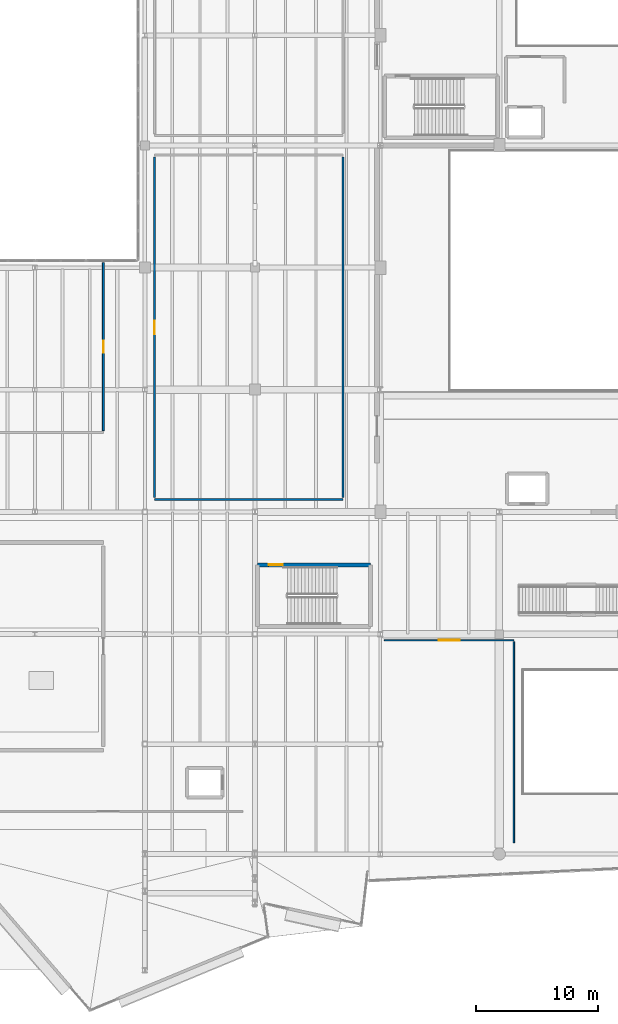
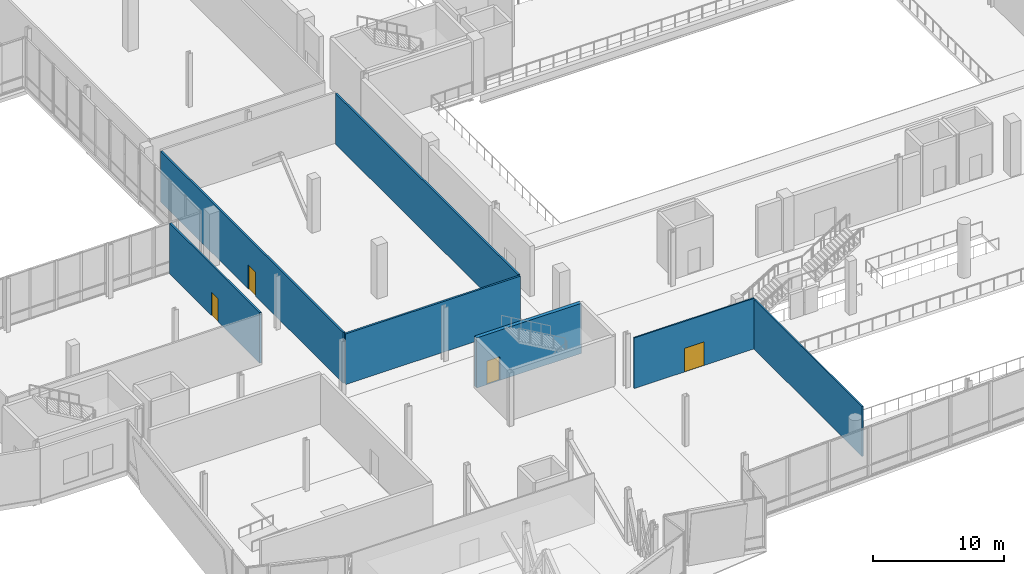
# One storey, part 54 of 73: 7 walls, 4 doors, 4 openings.
"""IFC4 building model written with IfcOpenShell, lengths in metres."""

from ifc_helpers import new_model, si_unit, direction, frame, frame_2d, origin, place, context, subcontext, project, spatial, rectangle, extrude, material, layer, layer_set, type_object, element, fill, save


model = new_model("IFC4")

# Units and contexts
model_context = context("Model", 3, precision=1e-05, world=origin(), true_north=direction((0.0, 1.0)))
body_context = subcontext(model_context, "Body", "Model", "MODEL_VIEW")
ifc_project = project(units=[si_unit("LENGTHUNIT", "METRE"), si_unit("AREAUNIT", "SQUARE_METRE"), si_unit("VOLUMEUNIT", "CUBIC_METRE"), si_unit("PLANEANGLEUNIT", "RADIAN"), si_unit("MASSUNIT", "GRAM", prefix="KILO")], contexts=[model_context])

# Site, building, storey
site_placement = place(None, origin())
site = spatial("IfcSite", under=ifc_project, at=site_placement, CompositionType="ELEMENT")
building_placement = place(site_placement, origin())
building = spatial("IfcBuilding", under=site, at=building_placement, Name="Trimount Lyric Opera House", CompositionType="ELEMENT")
storey_placement = place(building_placement, frame((0.0, 0.0, 10.0)))
storey = spatial("IfcBuildingStorey", under=building, at=storey_placement, Name="L02", CompositionType="ELEMENT", Elevation=10.0)

# Wall, opening, door
ifc_material_1 = material(Name="Gypsum Board Partition")
ifc_layer_1 = layer(ifc_material_1, 0.1201171875)
ifc_layer_set_1 = layer_set([ifc_layer_1], Name="WL-PT120")
wall_type_1 = type_object("IfcWallType", Name="WL-PT120", PredefinedType="PARTITIONING", material=ifc_layer_set_1)
wall_1_placement = place(storey_placement, frame((75.199951171875, 43.5, 0.0), z_axis=(0.0, 0.0, 1.0), x_axis=(-1.0, 0.0, 0.0)))
wall_1 = element("IfcWall", 1, at=wall_1_placement, inside=storey, type_object=wall_type_1, Name="L02 Dress Circle Crystal Promenade N partition", PredefinedType="PARTITIONING", context=body_context, shape_type="SweptSolid", body=[
    extrude(rectangle(XDim=10.599853515625, YDim=0.1201171875, at=frame_2d((5.2998046875, 0.0))), origin(), (0.0, 0.0, 1.0), 4.719970703125),
])
opening_1_placement = place(wall_1_placement, frame((4.449951171875, 0.0, 0.0)))
opening_1 = element("IfcOpeningElement", 2, at=opening_1_placement, cuts=wall_1, Name="Opening DT-COR2", PredefinedType="OPENING", context=body_context, shape_type="SweptSolid", body=[
    extrude(rectangle(XDim=1.699951171875, YDim=2.199951171875, at=frame_2d((0.85009765625, 1.10009765625))), frame((0.0, 0.070068359375, 0.0), z_axis=(0.0, -1.0, 0.0), x_axis=(1.0, 0.0, 0.0)), (0.0, 0.0, 1.0), 0.14013671875),
])
ifc_material_2 = material(Name="Solid Core White Oak")
door_type_1 = type_object("IfcDoorType", Name="DT-COR2", OperationType="DOUBLE_DOOR_SINGLE_SWING", PredefinedType="DOOR", material=ifc_material_2)
door_1_placement = place(opening_1_placement, origin())
door_1 = element("IfcDoor", 3, at=door_1_placement, inside=storey, type_object=door_type_1, Name="D-212", OperationType="DOUBLE_DOOR_SINGLE_SWING", OverallHeight=2.199951171875, OverallWidth=1.699951171875, PredefinedType="DOOR", context=body_context, shape_type="SweptSolid", body=[
    extrude(rectangle(XDim=1.699951171875, YDim=2.199951171875, at=frame_2d((0.85009765625, 1.10009765625))), frame((0.0, 0.02490234375, 0.0), z_axis=(0.0, -1.0, 0.0), x_axis=(1.0, 0.0, 0.0)), (0.0, 0.0, 1.0), 0.050048828125),
])
fill(opening_1, door_1)

# Wall
wall_2_placement = place(storey_placement, frame((75.199951171875, 26.919921875, 0.0), z_axis=(0.0, 0.0, 1.0), x_axis=(0.0, 1.0, 0.0)))
element("IfcWall", 4, at=wall_2_placement, inside=storey, type_object=wall_type_1, Name="L02 Dress Circle Crystal Promenade E partition", PredefinedType="PARTITIONING", context=body_context, shape_type="SweptSolid", body=[
    extrude(rectangle(XDim=16.4599609375, YDim=0.1201171875, at=frame_2d((8.22998046875, 0.0))), origin(), (0.0, 0.0, 1.0), 4.64990234375),
])

# Wall, opening, door
ifc_material_3 = material(Name="Fire-Rated Gypsum Board Partition")
ifc_layer_2 = layer(ifc_material_3, 0.14990234375)
ifc_layer_set_2 = layer_set([ifc_layer_2], Name="WL-PT150")
wall_type_2 = type_object("IfcWallType", Name="WL-PT150", PredefinedType="PARTITIONING", material=ifc_layer_set_2)
wall_3_placement = place(storey_placement, frame((41.60009765625, 60.64990234375, 0.0), z_axis=(0.0, 0.0, 1.0), x_axis=(0.0, 1.0, 0.0)))
wall_3 = element("IfcWall", 5, at=wall_3_placement, inside=storey, type_object=wall_type_2, Name="L02 Principal & Guest Artist Suites E partition", PredefinedType="PARTITIONING", context=body_context, shape_type="SweptSolid", body=[
    extrude(rectangle(XDim=13.75, YDim=0.14990234375, at=frame_2d((6.875, 0.0))), origin(), (0.0, 0.0, 1.0), 4.719970703125),
])
opening_2_placement = place(wall_3_placement, frame((6.375, 0.0, 0.0)))
opening_2 = element("IfcOpeningElement", 6, at=opening_2_placement, cuts=wall_3, Name="Opening DT-RM1", PredefinedType="OPENING", context=body_context, shape_type="SweptSolid", body=[
    extrude(rectangle(XDim=1.0, YDim=2.14990234375, at=frame_2d((0.5, 1.074951171875))), frame((0.0, 0.0849609375, 0.0), z_axis=(0.0, -1.0, 0.0), x_axis=(1.0, 0.0, 0.0)), (0.0, 0.0, 1.0), 0.169921875),
])
ifc_material_4 = material(Name="Solid Core White Oak")
door_type_2 = type_object("IfcDoorType", Name="DT-RM1", OperationType="NOTDEFINED", PredefinedType="DOOR", material=ifc_material_4)
door_2_placement = place(opening_2_placement, origin())
door_2 = element("IfcDoor", 7, at=door_2_placement, inside=storey, type_object=door_type_2, Name="D-214", OperationType="SINGLE_SWING_RIGHT", OverallHeight=2.14990234375, OverallWidth=1.0, PredefinedType="DOOR", context=body_context, shape_type="SweptSolid", body=[
    extrude(rectangle(XDim=1.0, YDim=2.14990234375, at=frame_2d((0.5, 1.074951171875))), frame((0.0, 0.02490234375, 0.0), z_axis=(0.0, -1.0, 0.0), x_axis=(1.0, 0.0, 0.0)), (0.0, 0.0, 1.0), 0.050048828125),
])
fill(opening_2, door_2)

# Wall
ifc_material_5 = material(Name="Acoustic Double-Stud Gypsum Board")
ifc_layer_3 = layer(ifc_material_5, 0.1650390625)
ifc_layer_set_3 = layer_set([ifc_layer_3], Name="WL-PT165")
wall_type_3 = type_object("IfcWallType", Name="WL-PT165", PredefinedType="PARTITIONING", material=ifc_layer_set_3)
wall_4_placement = place(storey_placement, frame((45.800048828125, 55.0, 0.0), z_axis=(0.0, 0.0, 1.0), x_axis=(1.0, 0.0, 0.0)))
element("IfcWall", 8, at=wall_4_placement, inside=storey, type_object=wall_type_3, Name="L02 Stage Movement & Fencing Studio S partition", PredefinedType="PARTITIONING", context=body_context, shape_type="SweptSolid", body=[
    extrude(rectangle(XDim=15.39990234375, YDim=0.1650390625, at=frame_2d((7.699951171875, 0.0))), origin(), (0.0, 0.0, 1.0), 4.719970703125),
])

# Wall, opening, door
wall_5_placement = place(storey_placement, frame((45.800048828125, 83.034912109375, 0.0), z_axis=(0.0, 0.0, 1.0), x_axis=(0.0, -1.0, 0.0)))
wall_5 = element("IfcWall", 9, at=wall_5_placement, inside=storey, type_object=wall_type_3, Name="L02 Stage Movement & Fencing Studio W partition", PredefinedType="PARTITIONING", context=body_context, shape_type="SweptSolid", body=[
    extrude(rectangle(XDim=27.869873046875, YDim=0.1650390625, at=frame_2d((13.93505859375, 0.0))), origin(), (0.0, 0.0, 1.0), 4.719970703125),
])
opening_3_placement = place(wall_5_placement, frame((13.375, 0.0, 0.0)))
opening_3 = element("IfcOpeningElement", 10, at=opening_3_placement, cuts=wall_5, Name="Opening DT-AC2", PredefinedType="OPENING", context=body_context, shape_type="SweptSolid", body=[
    extrude(rectangle(XDim=1.1201171875, YDim=2.25, at=frame_2d((0.56005859375, 1.125))), frame((0.0, 0.092529296875, 0.0), z_axis=(0.0, -1.0, 0.0), x_axis=(1.0, 0.0, 0.0)), (0.0, 0.0, 1.0), 0.18505859375),
])
ifc_material_6 = material(Name="Acoustic Steel-Core Timber", Category="steel")
door_type_3 = type_object("IfcDoorType", Name="DT-AC2", OperationType="NOTDEFINED", PredefinedType="DOOR", material=ifc_material_6)
door_3_placement = place(opening_3_placement, origin())
door_3 = element("IfcDoor", 11, at=door_3_placement, inside=storey, type_object=door_type_3, Name="D-215", OperationType="SINGLE_SWING_LEFT", OverallHeight=2.25, OverallWidth=1.1201171875, PredefinedType="DOOR", context=body_context, shape_type="SweptSolid", body=[
    extrude(rectangle(XDim=1.1201171875, YDim=2.25, at=frame_2d((0.56005859375, 1.125))), frame((0.0, 0.02490234375, 0.0), z_axis=(0.0, -1.0, 0.0), x_axis=(1.0, 0.0, 0.0)), (0.0, 0.0, 1.0), 0.050048828125),
])
fill(opening_3, door_3)

# Wall
wall_6_placement = place(storey_placement, frame((61.199951171875, 55.1650390625, 0.0), z_axis=(0.0, 0.0, 1.0), x_axis=(0.0, 1.0, 0.0)))
element("IfcWall", 12, at=wall_6_placement, inside=storey, type_object=wall_type_3, Name="L02 Stage Movement & Fencing Studio E partition", PredefinedType="PARTITIONING", context=body_context, shape_type="SweptSolid", body=[
    extrude(rectangle(XDim=27.869873046875, YDim=0.1650390625, at=frame_2d((13.93505859375, 0.0))), origin(), (0.0, 0.0, 1.0), 4.719970703125),
])

# Wall, opening, door
ifc_material_7 = material(Name="Concrete C40/50", Category="concrete")
ifc_layer_4 = layer(ifc_material_7, 0.320068359375)
ifc_layer_set_4 = layer_set([ifc_layer_4], Name="WL-SH320")
wall_type_4 = type_object("IfcWallType", Name="WL-SH320", PredefinedType="SHEAR", material=ifc_layer_set_4)
wall_7_placement = place(storey_placement, frame((63.47509765625, 49.675048828125, 0.0), z_axis=(0.0, 0.0, 1.0), x_axis=(-1.0, 0.0, 0.0)))
wall_7 = element("IfcWall", 13, at=wall_7_placement, inside=storey, type_object=wall_type_4, Name="K7 L02 north shaft wall", PredefinedType="SHEAR", context=body_context, shape_type="SweptSolid", body=[
    extrude(rectangle(XDim=9.25, YDim=0.320068359375, at=frame_2d((4.625, 0.0))), origin(), (0.0, 0.0, 1.0), 4.675048828125),
])
opening_4_placement = place(wall_7_placement, frame((7.199951171875, 0.0, 0.0)))
opening_4 = element("IfcOpeningElement", 14, at=opening_4_placement, cuts=wall_7, Name="Opening DT-ST1", PredefinedType="OPENING", context=body_context, shape_type="SweptSolid", body=[
    extrude(rectangle(XDim=1.14990234375, YDim=2.199951171875, at=frame_2d((0.574951171875, 1.10009765625))), frame((0.0, 0.169921875, 0.0), z_axis=(0.0, -1.0, 0.0), x_axis=(1.0, 0.0, 0.0)), (0.0, 0.0, 1.0), 0.340087890625),
])
ifc_material_8 = material(Name="Fire-Rated Hollow Steel", Category="steel")
door_type_4 = type_object("IfcDoorType", Name="DT-ST1", OperationType="NOTDEFINED", PredefinedType="DOOR", material=ifc_material_8)
door_4_placement = place(opening_4_placement, origin())
door_4 = element("IfcDoor", 15, at=door_4_placement, inside=storey, type_object=door_type_4, Name="D-054", OperationType="SINGLE_SWING_RIGHT", OverallHeight=2.199951171875, OverallWidth=1.14990234375, PredefinedType="DOOR", context=body_context, shape_type="SweptSolid", body=[
    extrude(rectangle(XDim=1.14990234375, YDim=2.199951171875, at=frame_2d((0.574951171875, 1.10009765625))), frame((0.0, 0.02490234375, 0.0), z_axis=(0.0, -1.0, 0.0), x_axis=(1.0, 0.0, 0.0)), (0.0, 0.0, 1.0), 0.050048828125),
])
fill(opening_4, door_4)

save(model, "model.ifc")
